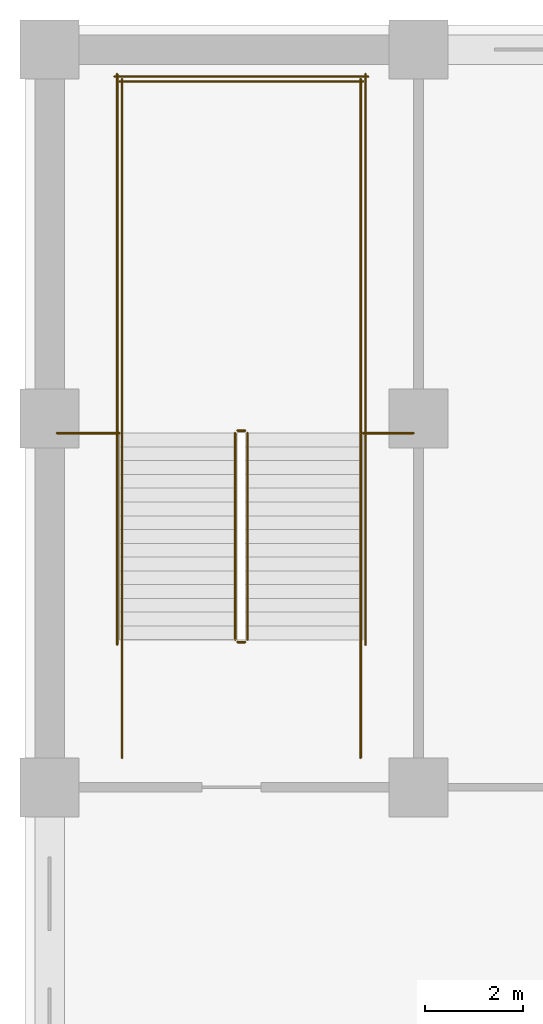
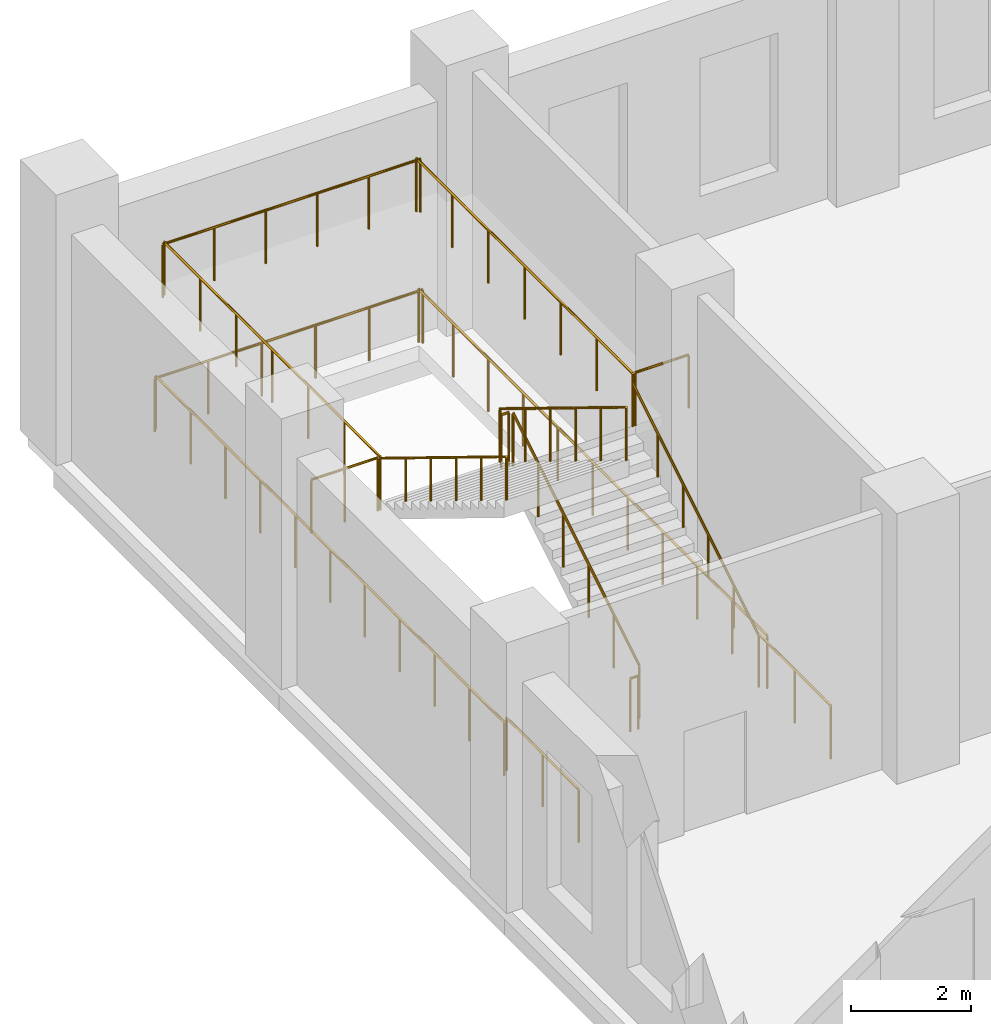
# One storey, part 23 of 25: 16 railings.
"""IFC4 building model written with IfcOpenShell, lengths in metres."""

from ifc_helpers import new_model, si_unit, direction, frame, origin, origin_2d, place, context, subcontext, project, spatial, circle, extrude, material, type_object, element, save


model = new_model("IFC4")

# Units and contexts
model_context = context("Model", 3, precision=1e-05, world=origin(), true_north=direction((0.0, 1.0)))
body_context = subcontext(model_context, "Body", "Model", "MODEL_VIEW")
ifc_project = project(units=[si_unit("LENGTHUNIT", "METRE"), si_unit("AREAUNIT", "SQUARE_METRE"), si_unit("VOLUMEUNIT", "CUBIC_METRE"), si_unit("PLANEANGLEUNIT", "RADIAN"), si_unit("MASSUNIT", "GRAM", prefix="KILO")], contexts=[model_context])

# Site, building, storey
site_placement = place(None, origin())
site = spatial("IfcSite", under=ifc_project, at=site_placement, CompositionType="ELEMENT")
building_placement = place(site_placement, origin())
building = spatial("IfcBuilding", under=site, at=building_placement, Name="Tamorin Gate", CompositionType="ELEMENT")
storey_placement = place(building_placement, frame((0.0, 0.0, 23.5)))
storey = spatial("IfcBuildingStorey", under=building, at=storey_placement, Name="L04", CompositionType="ELEMENT", Elevation=23.5)

# Railings
ifc_material = material(Name="Steel", Category="steel")
railing_type_1 = type_object("IfcRailingType", Name="Podium guard 1100", PredefinedType="GUARDRAIL", material=ifc_material)
railing_1_placement = place(storey_placement, frame((19.52490234375, 100.0, 0.171875)))
element("IfcRailing", 1, at=railing_1_placement, inside=storey, type_object=railing_type_1, Name="L04 PS2 stair guard 1", PredefinedType="GUARDRAIL", context=body_context, shape_type="SweptSolid", body=[
    extrude(circle(Radius=0.02392578125, at=origin_2d()), frame((0.0, 0.0, 1.076171875), z_axis=(0.0, 0.852242915053, 0.523146264196), x_axis=(-1.0, 0.0, 0.0)), (0.0, 0.0, 1.0), 4.92822265625),
    extrude(circle(Radius=0.02099609375, at=origin_2d()), origin(), (0.0, 0.0, 1.0), 1.052001953125),
    extrude(circle(Radius=0.02099609375, at=origin_2d()), frame((0.0, 0.840087890625, 0.515625)), (0.0, 0.0, 1.0), 1.052001953125),
    extrude(circle(Radius=0.02099609375, at=origin_2d()), frame((0.0, 1.679931640625, 1.03125)), (0.0, 0.0, 1.0), 1.052001953125),
    extrude(circle(Radius=0.02099609375, at=origin_2d()), frame((0.0, 2.52001953125, 1.546875)), (0.0, 0.0, 1.0), 1.052001953125),
    extrude(circle(Radius=0.02099609375, at=origin_2d()), frame((0.0, 3.35986328125, 2.0625)), (0.0, 0.0, 1.0), 1.052001953125),
    extrude(circle(Radius=0.02099609375, at=origin_2d()), frame((0.0, 4.199951171875, 2.578125)), (0.0, 0.0, 1.0), 1.052001953125),
])
railing_2_placement = place(storey_placement, frame((19.47509765625, 104.25, 2.75)))
element("IfcRailing", 2, at=railing_2_placement, inside=storey, type_object=railing_type_1, Name="L04 PS2 stair guard 2", PredefinedType="GUARDRAIL", context=body_context, shape_type="SweptSolid", body=[
    extrude(circle(Radius=0.02392578125, at=origin_2d()), frame((0.0, 0.0, 1.076171875), z_axis=(-1.0, 0.0, 0.0), x_axis=(0.0, -1.0, 0.0)), (0.0, 0.0, 1.0), 0.150146484375),
    extrude(circle(Radius=0.02099609375, at=origin_2d()), origin(), (0.0, 0.0, 1.0), 1.052001953125),
    extrude(circle(Radius=0.02099609375, at=origin_2d()), frame((-0.150146484375, 0.0, 0.0)), (0.0, 0.0, 1.0), 1.052001953125),
])
for number, where, name in (
    (3, (21.824951171875, 104.199951171875, 2.75), "L04 PS2 stair guard 3"),
    (4, (16.97509765625, 104.199951171875, 2.75), "L04 PS2 stair guard 4"),
):
    element("IfcRailing", number, at=place(storey_placement, frame(where)), inside=storey, type_object=railing_type_1, Name=name, PredefinedType="GUARDRAIL", context=body_context, shape_type="SweptSolid", body=[
        extrude(circle(Radius=0.02392578125, at=origin_2d()), frame((0.0, 0.0, 1.076171875), z_axis=(0.0, 1.0, 0.0), x_axis=(-1.0, 0.0, 0.0)), (0.0, 0.0, 1.0), 7.199951171875),
        extrude(circle(Radius=0.02099609375, at=origin_2d()), origin(), (0.0, 0.0, 1.0), 1.052001953125),
        extrude(circle(Radius=0.02099609375, at=origin_2d()), frame((0.0, 1.199951171875, 0.0)), (0.0, 0.0, 1.0), 1.052001953125),
        extrude(circle(Radius=0.02099609375, at=origin_2d()), frame((0.0, 2.39990234375, 0.0)), (0.0, 0.0, 1.0), 1.052001953125),
        extrude(circle(Radius=0.02099609375, at=origin_2d()), frame((0.0, 3.60009765625, 0.0)), (0.0, 0.0, 1.0), 1.052001953125),
        extrude(circle(Radius=0.02099609375, at=origin_2d()), frame((0.0, 4.800048828125, 0.0)), (0.0, 0.0, 1.0), 1.052001953125),
        extrude(circle(Radius=0.02099609375, at=origin_2d()), frame((0.0, 6.0, 0.0)), (0.0, 0.0, 1.0), 1.052001953125),
        extrude(circle(Radius=0.02099609375, at=origin_2d()), frame((0.0, 7.199951171875, 0.0)), (0.0, 0.0, 1.0), 1.052001953125),
    ])
railing_3_placement = place(storey_placement, frame((21.875, 111.35009765625, 2.75)))
element("IfcRailing", 5, at=railing_3_placement, inside=storey, type_object=railing_type_1, Name="L04 PS2 stair guard 5", PredefinedType="GUARDRAIL", context=body_context, shape_type="SweptSolid", body=[
    extrude(circle(Radius=0.02392578125, at=origin_2d()), frame((0.0, 0.0, 1.076171875), z_axis=(-1.0, 0.0, 0.0), x_axis=(0.0, -1.0, 0.0)), (0.0, 0.0, 1.0), 4.949951171875),
    extrude(circle(Radius=0.02099609375, at=origin_2d()), origin(), (0.0, 0.0, 1.0), 1.052001953125),
    extrude(circle(Radius=0.02099609375, at=origin_2d()), frame((-0.989990234375, 0.0, 0.0)), (0.0, 0.0, 1.0), 1.052001953125),
    extrude(circle(Radius=0.02099609375, at=origin_2d()), frame((-1.97998046875, 0.0, 0.0)), (0.0, 0.0, 1.0), 1.052001953125),
    extrude(circle(Radius=0.02099609375, at=origin_2d()), frame((-2.969970703125, 0.0, 0.0)), (0.0, 0.0, 1.0), 1.052001953125),
    extrude(circle(Radius=0.02099609375, at=origin_2d()), frame((-3.9599609375, 0.0, 0.0)), (0.0, 0.0, 1.0), 1.052001953125),
    extrude(circle(Radius=0.02099609375, at=origin_2d()), frame((-4.949951171875, 0.0, 0.0)), (0.0, 0.0, 1.0), 1.052001953125),
])
railing_4_placement = place(storey_placement, frame((19.27490234375, 104.199951171875, 2.921875)))
element("IfcRailing", 6, at=railing_4_placement, inside=storey, type_object=railing_type_1, Name="L04 PS2 stair guard 6", PredefinedType="GUARDRAIL", context=body_context, shape_type="SweptSolid", body=[
    extrude(circle(Radius=0.02392578125, at=origin_2d()), frame((0.0, 0.0, 1.076171875), z_axis=(0.0, -0.852242915053, 0.523146264196), x_axis=(1.0, 0.0, 0.0)), (0.0, 0.0, 1.0), 4.92822265625),
    extrude(circle(Radius=0.02099609375, at=origin_2d()), origin(), (0.0, 0.0, 1.0), 1.052001953125),
    extrude(circle(Radius=0.02099609375, at=origin_2d()), frame((0.0, -0.840087890625, 0.515625)), (0.0, 0.0, 1.0), 1.052001953125),
    extrude(circle(Radius=0.02099609375, at=origin_2d()), frame((0.0, -1.679931640625, 1.03125)), (0.0, 0.0, 1.0), 1.052001953125),
    extrude(circle(Radius=0.02099609375, at=origin_2d()), frame((0.0, -2.52001953125, 1.546875)), (0.0, 0.0, 1.0), 1.052001953125),
    extrude(circle(Radius=0.02099609375, at=origin_2d()), frame((0.0, -3.35986328125, 2.0625)), (0.0, 0.0, 1.0), 1.052001953125),
    extrude(circle(Radius=0.02099609375, at=origin_2d()), frame((0.0, -4.199951171875, 2.578125)), (0.0, 0.0, 1.0), 1.052001953125),
])
railing_5_placement = place(storey_placement, frame((19.47509765625, 99.949951171875, 0.0)))
element("IfcRailing", 7, at=railing_5_placement, inside=storey, type_object=railing_type_1, Name="L04 PS2 stair guard 7", PredefinedType="GUARDRAIL", context=body_context, shape_type="SweptSolid", body=[
    extrude(circle(Radius=0.02392578125, at=origin_2d()), frame((0.0, 0.0, 1.076171875), z_axis=(-1.0, 0.0, 0.0), x_axis=(0.0, -1.0, 0.0)), (0.0, 0.0, 1.0), 0.150146484375),
    extrude(circle(Radius=0.02099609375, at=origin_2d()), origin(), (0.0, 0.0, 1.0), 1.052001953125),
    extrude(circle(Radius=0.02099609375, at=origin_2d()), frame((-0.150146484375, 0.0, 0.0)), (0.0, 0.0, 1.0), 1.052001953125),
])
for number, where, name in (
    (8, (21.824951171875, 97.60009765625, 0.0), "L04 PS2 stair guard 8"),
    (9, (16.97509765625, 97.60009765625, 0.0), "L04 PS2 stair guard 9"),
):
    element("IfcRailing", number, at=place(storey_placement, frame(where)), inside=storey, type_object=railing_type_1, Name=name, PredefinedType="GUARDRAIL", context=body_context, shape_type="SweptSolid", body=[
        extrude(circle(Radius=0.02392578125, at=origin_2d()), frame((0.0, 0.0, 1.076171875), z_axis=(0.0, 1.0, 0.0), x_axis=(-1.0, 0.0, 0.0)), (0.0, 0.0, 1.0), 2.39990234375),
        extrude(circle(Radius=0.02099609375, at=origin_2d()), origin(), (0.0, 0.0, 1.0), 1.052001953125),
        extrude(circle(Radius=0.02099609375, at=origin_2d()), frame((0.0, 1.199951171875, 0.0)), (0.0, 0.0, 1.0), 1.052001953125),
        extrude(circle(Radius=0.02099609375, at=origin_2d()), frame((0.0, 2.39990234375, 0.0)), (0.0, 0.0, 1.0), 1.052001953125),
    ])
for number, where, name in (
    (10, (21.925048828125, 99.89990234375, 0.0), "L04 PS2 stair guard 10"),
    (11, (16.875, 99.89990234375, 0.0), "L04 PS2 stair guard 11"),
):
    element("IfcRailing", number, at=place(storey_placement, frame(where)), inside=storey, type_object=railing_type_1, Name=name, PredefinedType="GUARDRAIL", context=body_context, shape_type="SweptSolid", body=[
        extrude(circle(Radius=0.02392578125, at=origin_2d()), frame((0.0, 0.0, 1.076171875), z_axis=(0.0, 1.0, 0.0), x_axis=(-1.0, 0.0, 0.0)), (0.0, 0.0, 1.0), 11.60009765625),
        extrude(circle(Radius=0.02099609375, at=origin_2d()), origin(), (0.0, 0.0, 1.0), 1.052001953125),
        extrude(circle(Radius=0.02099609375, at=origin_2d()), frame((0.0, 1.159912109375, 0.0)), (0.0, 0.0, 1.0), 1.052001953125),
        extrude(circle(Radius=0.02099609375, at=origin_2d()), frame((0.0, 2.320068359375, 0.0)), (0.0, 0.0, 1.0), 1.052001953125),
        extrude(circle(Radius=0.02099609375, at=origin_2d()), frame((0.0, 3.47998046875, 0.0)), (0.0, 0.0, 1.0), 1.052001953125),
        extrude(circle(Radius=0.02099609375, at=origin_2d()), frame((0.0, 4.64013671875, 0.0)), (0.0, 0.0, 1.0), 1.052001953125),
        extrude(circle(Radius=0.02099609375, at=origin_2d()), frame((0.0, 5.800048828125, 0.0)), (0.0, 0.0, 1.0), 1.052001953125),
        extrude(circle(Radius=0.02099609375, at=origin_2d()), frame((0.0, 6.9599609375, 0.0)), (0.0, 0.0, 1.0), 1.052001953125),
        extrude(circle(Radius=0.02099609375, at=origin_2d()), frame((0.0, 8.1201171875, 0.0)), (0.0, 0.0, 1.0), 1.052001953125),
        extrude(circle(Radius=0.02099609375, at=origin_2d()), frame((0.0, 9.280029296875, 0.0)), (0.0, 0.0, 1.0), 1.052001953125),
        extrude(circle(Radius=0.02099609375, at=origin_2d()), frame((0.0, 10.440185546875, 0.0)), (0.0, 0.0, 1.0), 1.052001953125),
        extrude(circle(Radius=0.02099609375, at=origin_2d()), frame((0.0, 11.60009765625, 0.0)), (0.0, 0.0, 1.0), 1.052001953125),
    ])
railing_6_placement = place(storey_placement, frame((21.97509765625, 111.449951171875, 0.0)))
element("IfcRailing", 12, at=railing_6_placement, inside=storey, type_object=railing_type_1, Name="L04 PS2 stair guard 12", PredefinedType="GUARDRAIL", context=body_context, shape_type="SweptSolid", body=[
    extrude(circle(Radius=0.02392578125, at=origin_2d()), frame((0.0, 0.0, 1.076171875), z_axis=(-1.0, 0.0, 0.0), x_axis=(0.0, -1.0, 0.0)), (0.0, 0.0, 1.0), 5.150146484375),
    extrude(circle(Radius=0.02099609375, at=origin_2d()), origin(), (0.0, 0.0, 1.0), 1.052001953125),
    extrude(circle(Radius=0.02099609375, at=origin_2d()), frame((-1.030029296875, 0.0, 0.0)), (0.0, 0.0, 1.0), 1.052001953125),
    extrude(circle(Radius=0.02099609375, at=origin_2d()), frame((-2.06005859375, 0.0, 0.0)), (0.0, 0.0, 1.0), 1.052001953125),
    extrude(circle(Radius=0.02099609375, at=origin_2d()), frame((-3.090087890625, 0.0, 0.0)), (0.0, 0.0, 1.0), 1.052001953125),
    extrude(circle(Radius=0.02099609375, at=origin_2d()), frame((-4.1201171875, 0.0, 0.0)), (0.0, 0.0, 1.0), 1.052001953125),
    extrude(circle(Radius=0.02099609375, at=origin_2d()), frame((-5.150146484375, 0.0, 0.0)), (0.0, 0.0, 1.0), 1.052001953125),
])
railing_7_placement = place(storey_placement, frame((15.64990234375, 104.199951171875, 2.75)))
element("IfcRailing", 13, at=railing_7_placement, inside=storey, type_object=railing_type_1, Name="Landing edge guard", PredefinedType="GUARDRAIL", context=body_context, shape_type="SweptSolid", body=[
    extrude(circle(Radius=0.02392578125, at=origin_2d()), frame((0.0, 0.0, 1.076171875), z_axis=(1.0, 0.0, 0.0), x_axis=(0.0, 1.0, 0.0)), (0.0, 0.0, 1.0), 1.275146484375),
    extrude(circle(Radius=0.02099609375, at=origin_2d()), origin(), (0.0, 0.0, 1.0), 1.052001953125),
    extrude(circle(Radius=0.02099609375, at=origin_2d()), frame((0.6376953125, 0.0, 0.0)), (0.0, 0.0, 1.0), 1.052001953125),
    extrude(circle(Radius=0.02099609375, at=origin_2d()), frame((1.275146484375, 0.0, 0.0)), (0.0, 0.0, 1.0), 1.052001953125),
])
railing_8_placement = place(storey_placement, frame((21.875, 104.199951171875, 2.75)))
element("IfcRailing", 14, at=railing_8_placement, inside=storey, type_object=railing_type_1, Name="Landing edge guard", PredefinedType="GUARDRAIL", context=body_context, shape_type="SweptSolid", body=[
    extrude(circle(Radius=0.02392578125, at=origin_2d()), frame((0.0, 0.0, 1.076171875), z_axis=(1.0, 0.0, 0.0), x_axis=(0.0, 1.0, 0.0)), (0.0, 0.0, 1.0), 1.02490234375),
    extrude(circle(Radius=0.02099609375, at=origin_2d()), origin(), (0.0, 0.0, 1.0), 1.052001953125),
    extrude(circle(Radius=0.02099609375, at=origin_2d()), frame((1.02490234375, 0.0, 0.0)), (0.0, 0.0, 1.0), 1.052001953125),
])
railing_type_2 = type_object("IfcRailingType", Name="Podium stair handrail 900", PredefinedType="HANDRAIL", material=ifc_material)
railing_9_placement = place(storey_placement, frame((21.824951171875, 100.0, 0.171875)))
element("IfcRailing", 15, at=railing_9_placement, inside=storey, type_object=railing_type_2, Name="L04 PS2 stair handrail 1", PredefinedType="HANDRAIL", context=body_context, shape_type="SweptSolid", body=[
    extrude(circle(Radius=0.02392578125, at=origin_2d()), frame((0.0, 0.0, 0.8759765625), z_axis=(0.0, 0.852242915053, 0.523146264196), x_axis=(-1.0, 0.0, 0.0)), (0.0, 0.0, 1.0), 4.92822265625),
    extrude(circle(Radius=0.02099609375, at=origin_2d()), origin(), (0.0, 0.0, 1.0), 0.851806640625),
    extrude(circle(Radius=0.02099609375, at=origin_2d()), frame((0.0, 0.840087890625, 0.515625)), (0.0, 0.0, 1.0), 0.851806640625),
    extrude(circle(Radius=0.02099609375, at=origin_2d()), frame((0.0, 1.679931640625, 1.03125)), (0.0, 0.0, 1.0), 0.851806640625),
    extrude(circle(Radius=0.02099609375, at=origin_2d()), frame((0.0, 2.52001953125, 1.546875)), (0.0, 0.0, 1.0), 0.851806640625),
    extrude(circle(Radius=0.02099609375, at=origin_2d()), frame((0.0, 3.35986328125, 2.0625)), (0.0, 0.0, 1.0), 0.851806640625),
    extrude(circle(Radius=0.02099609375, at=origin_2d()), frame((0.0, 4.199951171875, 2.578125)), (0.0, 0.0, 1.0), 0.851806640625),
])
railing_10_placement = place(storey_placement, frame((16.97509765625, 104.199951171875, 2.921875)))
element("IfcRailing", 16, at=railing_10_placement, inside=storey, type_object=railing_type_2, Name="L04 PS2 stair handrail 2", PredefinedType="HANDRAIL", context=body_context, shape_type="SweptSolid", body=[
    extrude(circle(Radius=0.02392578125, at=origin_2d()), frame((0.0, 0.0, 0.8759765625), z_axis=(0.0, -0.852242915053, 0.523146264196), x_axis=(1.0, 0.0, 0.0)), (0.0, 0.0, 1.0), 4.92822265625),
    extrude(circle(Radius=0.02099609375, at=origin_2d()), origin(), (0.0, 0.0, 1.0), 0.851806640625),
    extrude(circle(Radius=0.02099609375, at=origin_2d()), frame((0.0, -0.840087890625, 0.515625)), (0.0, 0.0, 1.0), 0.851806640625),
    extrude(circle(Radius=0.02099609375, at=origin_2d()), frame((0.0, -1.679931640625, 1.03125)), (0.0, 0.0, 1.0), 0.851806640625),
    extrude(circle(Radius=0.02099609375, at=origin_2d()), frame((0.0, -2.52001953125, 1.546875)), (0.0, 0.0, 1.0), 0.851806640625),
    extrude(circle(Radius=0.02099609375, at=origin_2d()), frame((0.0, -3.35986328125, 2.0625)), (0.0, 0.0, 1.0), 0.851806640625),
    extrude(circle(Radius=0.02099609375, at=origin_2d()), frame((0.0, -4.199951171875, 2.578125)), (0.0, 0.0, 1.0), 0.851806640625),
])

save(model, "model.ifc")
